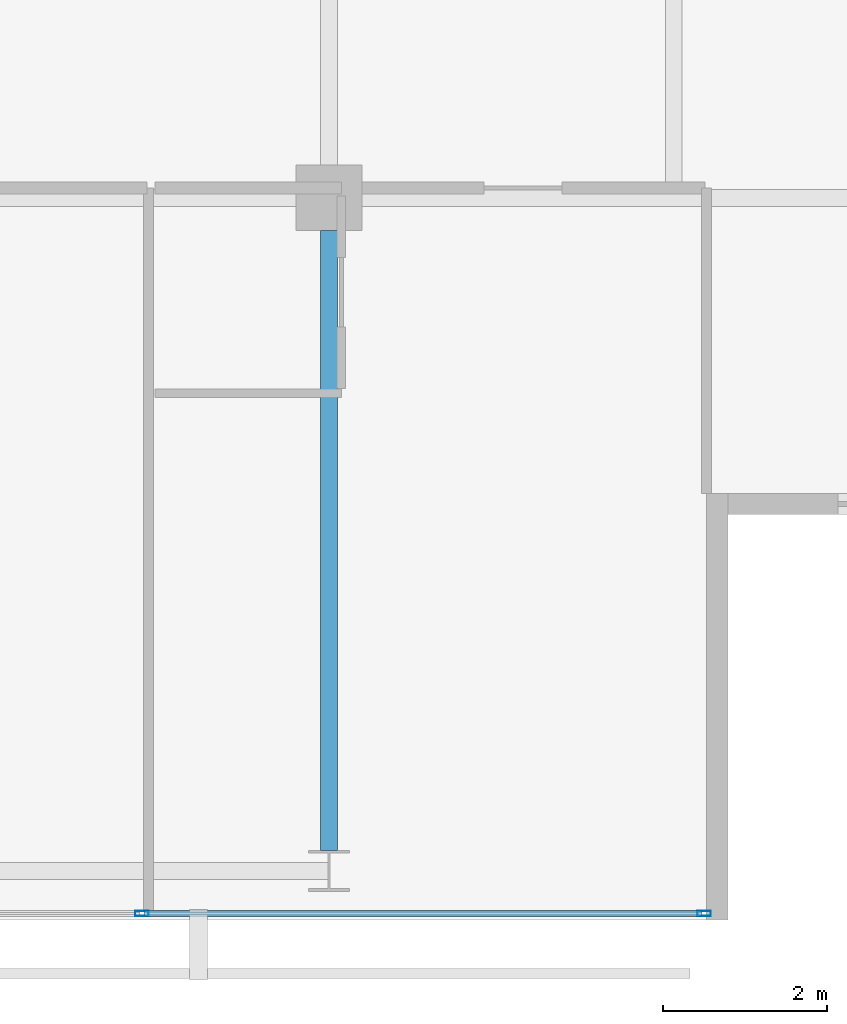
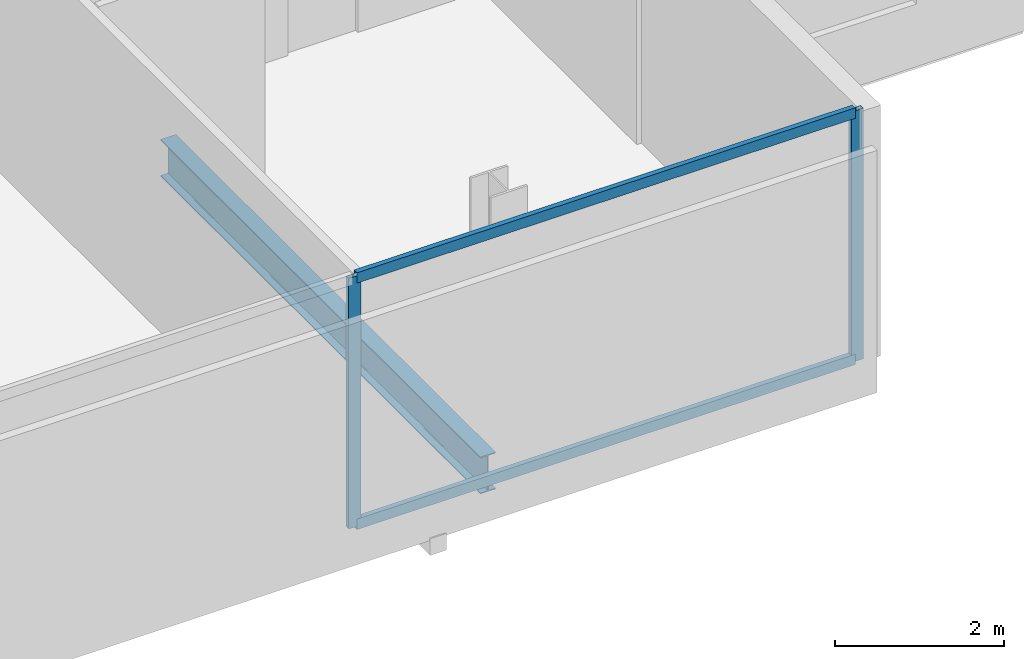
# One storey, part 10 of 25: 4 members, 1 beam, 1 element without a shape of its own.
"""IFC4 building model written with IfcOpenShell, lengths in metres."""

import ifcopenshell
import ifcopenshell.guid

model = None  # the IFC model being written
_history = None  # IfcOwnerHistory: only IFC2X3 demands one
_inside = {}  # id of a spatial element -> (the spatial element, [elements in it])
_under = {}  # id of a project, library or spatial element -> (it, [spatial elements below it])
_declared = {}  # id of a project -> (the project, [libraries it declares])
_typed = {}  # id of a type object -> (the type object, [elements of that type])
_made_of = {}  # id of a material, layer set ... -> (it, [elements and type objects made of it])


def new_model(schema):
    """Start an empty IFC model of exactly this schema.

    Asked for "IFC4X3", IfcOpenShell would pick the latest addendum, in which some entities
    have other attributes; the version numbers below select the first issue.
    IFC2X3 requires an IfcOwnerHistory on every rooted entity: one is made here for all.
    """
    global model, _history
    if schema == "IFC4X3":
        model = ifcopenshell.file(schema_version=(4, 3, 0, 0))
    else:
        model = ifcopenshell.file(schema=schema)
    _inside.clear()
    _under.clear()
    _declared.clear()
    _typed.clear()
    _made_of.clear()
    _history = None
    if model.schema == "IFC2X3":
        org = make("IfcOrganization", Name="unknown")
        user = make(
            "IfcPersonAndOrganization",
            ThePerson=make("IfcPerson", FamilyName="unknown"),
            TheOrganization=org,
        )
        app = make(
            "IfcApplication",
            ApplicationDeveloper=org,
            Version="unknown",
            ApplicationFullName="unknown",
            ApplicationIdentifier="unknown",
        )
        _history = make(
            "IfcOwnerHistory",
            OwningUser=user,
            OwningApplication=app,
            ChangeAction="ADDED",
            CreationDate=0,
        )
    return model


def make(cls, **values):
    """One entity of the class cls with the attributes given. An attribute that is None is left unset."""
    return model.create_entity(
        cls, **{name: value for name, value in values.items() if value is not None}
    )


def rooted(cls, **values):
    """An entity with a GlobalId (a new one), such as an element, a storey or a relation."""
    return make(cls, GlobalId=ifcopenshell.guid.new(), OwnerHistory=_history, **values)


def si_unit(unit_type, name, prefix=None):
    """IfcSIUnit, for example si_unit("LENGTHUNIT", "METRE", prefix="MILLI")."""
    return make("IfcSIUnit", UnitType=unit_type, Prefix=prefix, Name=name)


def assignment(units):
    """IfcUnitAssignment: the units of a project."""
    return None if units is None else make("IfcUnitAssignment", Units=units)


def point(xyz):
    """IfcCartesianPoint."""
    return None if xyz is None else make("IfcCartesianPoint", Coordinates=xyz)


def direction(xyz):
    """IfcDirection."""
    return None if xyz is None else make("IfcDirection", DirectionRatios=xyz)


def frame(location, z_axis=None, x_axis=None):
    """IfcAxis2Placement3D, a coordinate frame: its origin and axes. An axis left out is left unset."""
    return make(
        "IfcAxis2Placement3D",
        Location=point(location),
        Axis=direction(z_axis),
        RefDirection=direction(x_axis),
    )


def frame_2d(location, x_axis=None):
    """IfcAxis2Placement2D, a coordinate frame in the plane: its origin and x axis."""
    return make(
        "IfcAxis2Placement2D", Location=point(location), RefDirection=direction(x_axis)
    )


def origin():
    """The frame at (0, 0, 0) with its axes left unset."""
    return frame((0.0, 0.0, 0.0))


def origin_2d():
    """The frame at (0, 0) in the plane with its x axis left unset."""
    return frame_2d((0.0, 0.0))


def place(relative_to, where):
    """IfcLocalPlacement: puts the frame where relative to a parent placement (None: the world)."""
    return make(
        "IfcLocalPlacement", PlacementRelTo=relative_to, RelativePlacement=where
    )


def context(
    kind, dimensions, precision=None, world=None, true_north=None, identifier=None
):
    """IfcGeometricRepresentationContext, for example the 3D "Model" context."""
    return make(
        "IfcGeometricRepresentationContext",
        ContextIdentifier=identifier,
        ContextType=kind,
        CoordinateSpaceDimension=dimensions,
        Precision=precision,
        WorldCoordinateSystem=world,
        TrueNorth=true_north,
    )


def subcontext(parent, identifier, kind, view, scale=None):
    """IfcGeometricRepresentationSubContext, for example "Body" below "Model"."""
    return make(
        "IfcGeometricRepresentationSubContext",
        ContextIdentifier=identifier,
        ContextType=kind,
        ParentContext=parent,
        TargetScale=scale,
        TargetView=view,
    )


def project(units=None, contexts=None):
    """IfcProject with its units and contexts."""
    return rooted(
        "IfcProject",
        Name="project",
        RepresentationContexts=contexts,
        UnitsInContext=assignment(units),
    )


def spatial(cls, under=None, at=None, **own):
    """A site, building, storey or space (cls), placed at a placement, below another one or the project."""
    s = rooted(cls, ObjectPlacement=at, **own)
    if under is not None:
        _under.setdefault(under.id(), (under, []))[1].append(s)
    return s


def profile(cls, at=None, kind="AREA", **sizes):
    """A parametric profile (cls). Its sizes go by their IFC names, for example OverallWidth=200.0."""
    return make(cls, ProfileType=kind, Position=at, **sizes)


def hollow_rectangle(**sizes):
    """IfcRectangleHollowProfileDef."""
    return profile("IfcRectangleHollowProfileDef", **sizes)


def i_section(**sizes):
    """IfcIShapeProfileDef."""
    return profile("IfcIShapeProfileDef", **sizes)


def extrude(swept, where, along, depth):
    """IfcExtrudedAreaSolid: the profile swept, set in the frame where, extruded along a direction by depth."""
    return make(
        "IfcExtrudedAreaSolid",
        SweptArea=swept,
        Position=where,
        ExtrudedDirection=direction(along),
        Depth=depth,
    )


def shape(context_of_items, identifier, shape_type, items):
    """IfcShapeRepresentation: the items that make up one representation, for example the "Body"."""
    return make(
        "IfcShapeRepresentation",
        ContextOfItems=context_of_items,
        RepresentationIdentifier=identifier,
        RepresentationType=shape_type,
        Items=items,
    )


def material(Name=None, Category=None):
    """IfcMaterial."""
    return make("IfcMaterial", Name=Name, Category=Category)


def layer(
    of_material, thickness, ventilated=None, Name=None, Category=None, Priority=None
):
    """IfcMaterialLayer: one layer of a wall or slab, of a material (None: an air gap)."""
    return make(
        "IfcMaterialLayer",
        Material=of_material,
        LayerThickness=thickness,
        IsVentilated=ventilated,
        Name=Name,
        Category=Category,
        Priority=Priority,
    )


def layer_set(layers, Name=None):
    """IfcMaterialLayerSet."""
    return make("IfcMaterialLayerSet", MaterialLayers=layers, LayerSetName=Name)


def material_profile(
    of_material, cross_section, Name=None, Category=None, Priority=None
):
    """IfcMaterialProfile: a cross section and its material."""
    return make(
        "IfcMaterialProfile",
        Name=Name,
        Material=of_material,
        Profile=cross_section,
        Priority=Priority,
        Category=Category,
    )


def profile_set(profiles, Name=None, composite=None):
    """IfcMaterialProfileSet."""
    return make(
        "IfcMaterialProfileSet",
        Name=Name,
        MaterialProfiles=profiles,
        CompositeProfile=composite,
    )


def made_of(thing, what):
    """Note that an element or type object is made of a material, layer set ...; save() writes the relation."""
    if what is not None:
        _made_of.setdefault(what.id(), (what, []))[1].append(thing)
    return thing


def type_object(cls, material=None, **own):
    """A type object (cls), such as IfcWallType, which elements share."""
    return made_of(rooted(cls, **own), material)


def element(
    cls,
    number,
    at=None,
    inside=None,
    cuts=None,
    type_object=None,
    material=None,
    context=None,
    identifier="Body",
    shape_type=None,
    held_by="IfcProductDefinitionShape",
    body=None,
    shapes=None,
    **own,
):
    """One element of the class cls, such as IfcWall. Its Tag is "e" and its number.

    at: its placement. inside: the storey or other place that contains it. cuts: it is an
    opening in that element (IfcRelVoidsElement). A single representation is given by context,
    identifier, shape_type and body (its items); several are given by shapes. held_by: the class
    of the entity that holds the representations. save() writes the other relations.
    """
    e = rooted(cls, Tag="e%d" % number, ObjectPlacement=at, **own)
    if body is not None:
        shapes = [shape(context, identifier, shape_type, body)]
    if shapes is not None:
        e.Representation = make(held_by, Representations=shapes)
    if inside is not None:
        _inside.setdefault(inside.id(), (inside, []))[1].append(e)
    if cuts is not None:
        rooted(
            "IfcRelVoidsElement", RelatingBuildingElement=cuts, RelatedOpeningElement=e
        )
    if type_object is not None:
        _typed.setdefault(type_object.id(), (type_object, []))[1].append(e)
    return made_of(e, material)


def aggregate(whole, parts):
    """IfcRelAggregates: a whole, such as a stair, and the parts it consists of."""
    return rooted("IfcRelAggregates", RelatingObject=whole, RelatedObjects=parts)


def save(model, path):
    """Write the relations noted so far, then the file.

    IfcRelAggregates (storeys below a building ...), IfcRelContainedInSpatialStructure (elements
    in a storey), IfcRelDefinesByType, IfcRelAssociatesMaterial and IfcRelDeclares: one each for
    every whole, place, type object, material and project.
    """
    for whole, parts in _under.values():
        aggregate(whole, parts)
    for where, things in _inside.values():
        rooted(
            "IfcRelContainedInSpatialStructure",
            RelatedElements=things,
            RelatingStructure=where,
        )
    for kind, things in _typed.values():
        rooted("IfcRelDefinesByType", RelatedObjects=things, RelatingType=kind)
    for what, things in _made_of.values():
        rooted("IfcRelAssociatesMaterial", RelatedObjects=things, RelatingMaterial=what)
    for by, libraries in _declared.values():
        rooted("IfcRelDeclares", RelatingContext=by, RelatedDefinitions=libraries)
    model.write(path)


model = new_model("IFC4")

# Units and contexts
model_context = context("Model", 3, precision=1e-05, world=origin(), true_north=direction((0.0, 1.0)))
body_context = subcontext(model_context, "Body", "Model", "MODEL_VIEW")
ifc_project = project(units=[si_unit("LENGTHUNIT", "METRE"), si_unit("AREAUNIT", "SQUARE_METRE"), si_unit("VOLUMEUNIT", "CUBIC_METRE"), si_unit("PLANEANGLEUNIT", "RADIAN"), si_unit("MASSUNIT", "GRAM", prefix="KILO")], contexts=[model_context])

# Site, building, storey
site_placement = place(None, origin())
site = spatial("IfcSite", under=ifc_project, at=site_placement, CompositionType="ELEMENT")
building_placement = place(site_placement, origin())
building = spatial("IfcBuilding", under=site, at=building_placement, Name="Maruvema Waterfront Hotel and Observation Tower", CompositionType="ELEMENT")
storey_placement = place(building_placement, frame((0.0, 0.0, 262.5)))
storey = spatial("IfcBuildingStorey", under=building, at=storey_placement, Name="L64", CompositionType="ELEMENT", Elevation=262.5)

# Curtain wall, members
ifc_material_1 = material(Name="Anodised bronze aluminium and solar-control low-E IGU", Category="aluminium")
ifc_layer = layer(ifc_material_1, 0.159912109375, Name="Zone 3 Champagne Inner Thermal Curtain Wall System CW-04")
ifc_layer_set = layer_set([ifc_layer], Name="Anodised bronze aluminium and solar-control low-E IGU")
curtain_wall_type = type_object("IfcCurtainWallType", Name="Zone 3 Champagne Inner Thermal Curtain Wall System CW-04", PredefinedType="USERDEFINED", material=ifc_layer_set)
curtain_wall_placement = place(storey_placement, origin())
curtain_wall = element("IfcCurtainWall", 1, at=curtain_wall_placement, inside=storey, type_object=curtain_wall_type, Name="L64 Curtain Wall CW-L64-S", ObjectType="UNITISED CURTAIN WALL", PredefinedType="USERDEFINED")
ifc_material_2 = material(Name="Anodised architectural bronze aluminium", Category="aluminium")
ifc_material_profile_1 = material_profile(ifc_material_2, hollow_rectangle(XDim=0.070068359375, YDim=0.14990234375, WallThickness=0.00390625, at=origin_2d()), Name="ALU-T70x150")
ifc_profile_set_1 = profile_set([ifc_material_profile_1], Name="Anodised architectural bronze aluminium")
member_type_1 = type_object("IfcMemberType", Name="Curtain Wall Horizontal Transom ALU-T70x150", PredefinedType="USERDEFINED", material=ifc_profile_set_1)
member_1_placement = place(storey_placement, frame((48.14990234375, 9.280029296875, 0.030029296875), z_axis=(1.0, 0.0, 0.0), x_axis=(0.0, 1.0, 0.0)))
member_1 = element("IfcMember", 2, at=member_1_placement, type_object=member_type_1, Name="CW-04 transom 5.1", ObjectType="TRANSOM", PredefinedType="USERDEFINED", context=body_context, shape_type="SweptSolid", body=[
    extrude(hollow_rectangle(XDim=0.070068359375, YDim=0.14990234375, WallThickness=0.00390625, at=origin_2d()), origin(), (0.0, 0.0, 1.0), 6.7900390625),
])
member_2_placement = place(storey_placement, frame((48.14990234375, 9.280029296875, 3.580078125), z_axis=(1.0, 0.0, 0.0), x_axis=(0.0, 1.0, 0.0)))
member_2 = element("IfcMember", 3, at=member_2_placement, type_object=member_type_1, Name="CW-04 transom 5.2", ObjectType="TRANSOM", PredefinedType="USERDEFINED", context=body_context, shape_type="SweptSolid", body=[
    extrude(hollow_rectangle(XDim=0.070068359375, YDim=0.14990234375, WallThickness=0.00390625, at=origin_2d()), origin(), (0.0, 0.0, 1.0), 6.7900390625),
])
ifc_material_3 = material(Name="Anodised architectural bronze aluminium", Category="aluminium")
ifc_material_profile_2 = material_profile(ifc_material_3, hollow_rectangle(XDim=0.06494140625, YDim=0.1650390625, WallThickness=0.00390625, at=origin_2d()), Name="ALU-M65x165")
ifc_profile_set_2 = profile_set([ifc_material_profile_2], Name="Anodised architectural bronze aluminium")
member_type_2 = type_object("IfcMemberType", Name="Curtain Wall Primary Mullion ALU-M65x165", PredefinedType="MULLION", material=ifc_profile_set_2)
member_3_placement = place(storey_placement, frame((48.1201171875, 9.280029296875, 0.0), z_axis=(0.0, 0.0, 1.0), x_axis=(0.0, 1.0, 0.0)))
member_3 = element("IfcMember", 4, at=member_3_placement, type_object=member_type_2, Name="CW-04 mullion 5", PredefinedType="MULLION", context=body_context, shape_type="SweptSolid", body=[
    extrude(hollow_rectangle(XDim=0.06494140625, YDim=0.1650390625, WallThickness=0.00390625, at=origin_2d()), origin(), (0.0, 0.0, 1.0), 3.610107421875),
])
member_4_placement = place(storey_placement, frame((54.969970703125, 9.280029296875, 0.0), z_axis=(0.0, 0.0, 1.0), x_axis=(0.0, 1.0, 0.0)))
member_4 = element("IfcMember", 5, at=member_4_placement, type_object=member_type_2, Name="CW-04 mullion 6", PredefinedType="MULLION", context=body_context, shape_type="SweptSolid", body=[
    extrude(hollow_rectangle(XDim=0.06494140625, YDim=0.1650390625, WallThickness=0.00390625, at=origin_2d()), origin(), (0.0, 0.0, 1.0), 3.610107421875),
])
aggregate(curtain_wall, [member_3, member_4, member_1, member_2])

# Beam
ifc_material_4 = material(Name="Steel ASTM A572 Grade 50", Category="steel")
ifc_material_profile_3 = material_profile(ifc_material_4, i_section(OverallWidth=0.208984375, OverallDepth=0.532958984375, WebThickness=0.01025390625, FlangeThickness=0.015625, FilletRadius=0.014892578125, at=origin_2d()), Name="W530x92.0")
ifc_profile_set_3 = profile_set([ifc_material_profile_3], Name="Steel ASTM A572 Grade 50")
beam_type = type_object("IfcBeamType", Name="Primary Floor Girder W530x92.0", PredefinedType="BEAM", material=ifc_profile_set_3)
beam_placement = place(storey_placement, frame((50.39990234375, 10.050048828125, -0.506591796875), z_axis=(0.0, 1.0, 0.0), x_axis=(-1.0, 0.0, 0.0)))
element("IfcBeam", 6, at=beam_placement, inside=storey, type_object=beam_type, Name="L64 Floor Girder NS-12", PredefinedType="BEAM", context=body_context, shape_type="SweptSolid", body=[
    extrude(i_section(OverallWidth=0.208984375, OverallDepth=0.532958984375, WebThickness=0.01025390625, FlangeThickness=0.015625, FilletRadius=0.014892578125, at=origin_2d()), origin(), (0.0, 0.0, 1.0), 7.550048828125),
])

save(model, "model.ifc")
